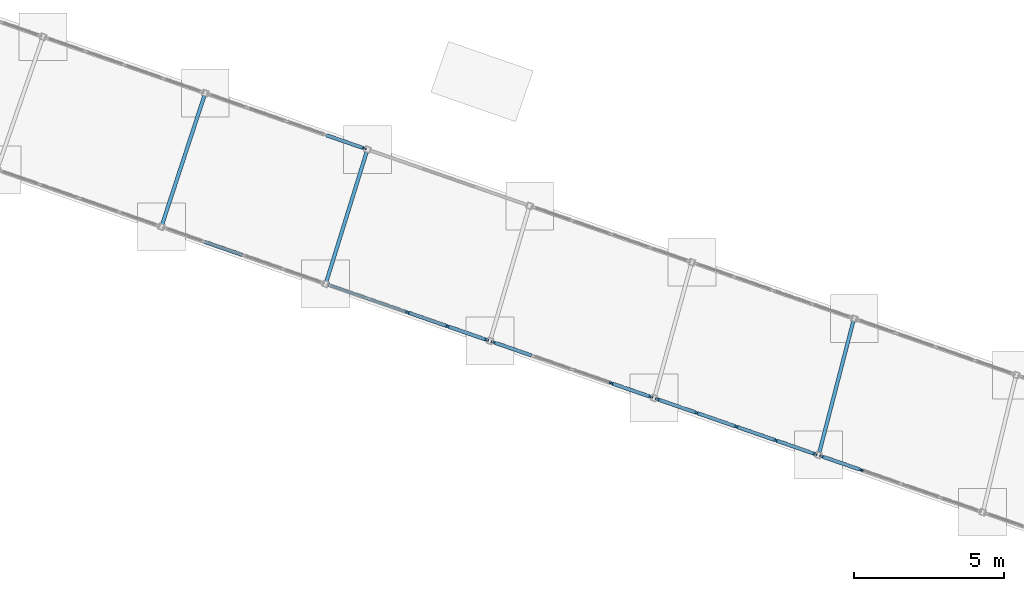
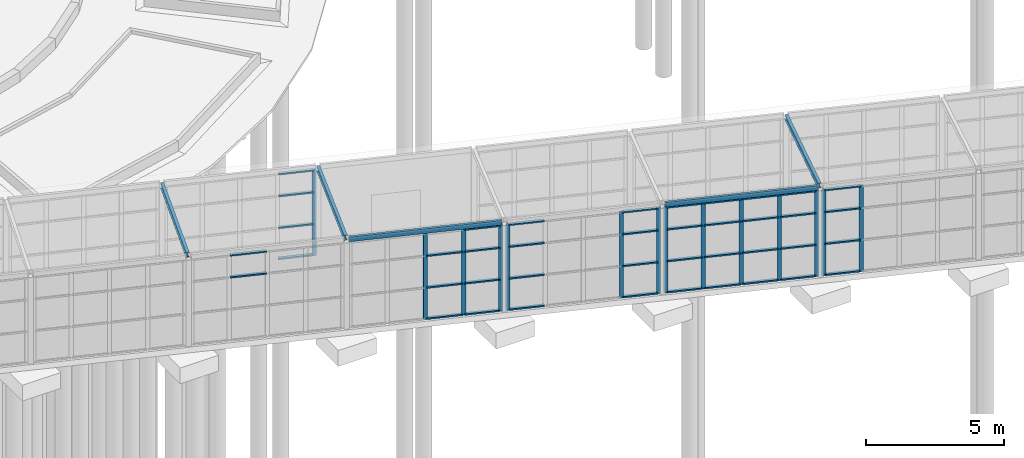
# One storey, part 52 of 226: 55 members, 5 beams, 6 elements without a shape of their own.
"""IFC4 building model written with IfcOpenShell, lengths in metres."""

from ifc_helpers import new_model, si_unit, direction, frame, origin, origin_2d, place, context, subcontext, project, spatial, rectangle, hollow_rectangle, i_section, extrude, material, material_profile, profile_set, type_object, element, aggregate, save


model = new_model("IFC4")

# Units and contexts
model_context = context("Model", 3, precision=1e-05, world=origin(), true_north=direction((0.0, 1.0)))
body_context = subcontext(model_context, "Body", "Model", "MODEL_VIEW")
ifc_project = project(units=[si_unit("LENGTHUNIT", "METRE"), si_unit("AREAUNIT", "SQUARE_METRE"), si_unit("VOLUMEUNIT", "CUBIC_METRE"), si_unit("PLANEANGLEUNIT", "RADIAN"), si_unit("MASSUNIT", "GRAM", prefix="KILO")], contexts=[model_context])

# Site, building, storey
site_placement = place(None, origin())
site = spatial("IfcSite", under=ifc_project, at=site_placement, CompositionType="ELEMENT")
building_placement = place(site_placement, origin())
building = spatial("IfcBuilding", under=site, at=building_placement, Name="Ceibo Conservatory and Research Tower", CompositionType="ELEMENT")
storey_placement = place(building_placement, origin())
storey = spatial("IfcBuildingStorey", under=building, at=storey_placement, Name="L00", CompositionType="ELEMENT", Elevation=0.0)

# Curtain wall, member
ifc_material_1 = material(Name="Aluminium and glass", Category="aluminium")
curtain_wall_type = type_object("IfcCurtainWallType", Name="Gallery curtain wall", PredefinedType="NOTDEFINED", material=ifc_material_1)
curtain_wall_1_placement = place(storey_placement, origin())
curtain_wall_1 = element("IfcCurtainWall", 1, at=curtain_wall_1_placement, inside=storey, type_object=curtain_wall_type, Name="Gallery curtain wall AUD-VC-CWN07", PredefinedType="NOTDEFINED")
ifc_material_2 = material(Name="Aluminium", Category="aluminium")
ifc_material_profile_1 = material_profile(ifc_material_2, rectangle(XDim=0.06005859375, YDim=0.159912109375, at=origin_2d()), Name="AL 60x160")
ifc_profile_set_1 = profile_set([ifc_material_profile_1], Name="Aluminium")
member_type_1 = type_object("IfcMemberType", Name="Gallery mullion 60x160", PredefinedType="MULLION", material=ifc_profile_set_1)
member_1_placement = place(storey_placement, frame((104.44091796875, 56.860107421875, 0.0), z_axis=(0.0, 0.0, 1.0), x_axis=(0.328283515513, 0.944579236191, 0.0)))
member_1 = element("IfcMember", 2, at=member_1_placement, type_object=member_type_1, Name="AUD-VC-CWN07 mullion 5", PredefinedType="MULLION", context=body_context, shape_type="SweptSolid", body=[
    extrude(rectangle(XDim=0.06005859375, YDim=0.159912109375, at=origin_2d()), origin(), (0.0, 0.0, 1.0), 3.800048828125),
])

# Curtain wall, members
curtain_wall_2_placement = place(storey_placement, origin())
curtain_wall_2 = element("IfcCurtainWall", 3, at=curtain_wall_2_placement, inside=storey, type_object=curtain_wall_type, Name="Gallery curtain wall AUD-VC-CWS08", PredefinedType="NOTDEFINED")
member_2_placement = place(storey_placement, frame((105.908203125, 51.37451171875, 0.0), z_axis=(0.0, 0.0, 1.0), x_axis=(0.328283515513, 0.944579236191, 0.0)))
member_2 = element("IfcMember", 4, at=member_2_placement, type_object=member_type_1, Name="AUD-VC-CWS08 mullion 3", PredefinedType="MULLION", context=body_context, shape_type="SweptSolid", body=[
    extrude(rectangle(XDim=0.06005859375, YDim=0.159912109375, at=origin_2d()), origin(), (0.0, 0.0, 1.0), 3.800048828125),
])
member_3_placement = place(storey_placement, frame((107.233154296875, 50.9140625, 0.0), z_axis=(0.0, 0.0, 1.0), x_axis=(0.328283515513, 0.944579236191, 0.0)))
member_3 = element("IfcMember", 5, at=member_3_placement, type_object=member_type_1, Name="AUD-VC-CWS08 mullion 4", PredefinedType="MULLION", context=body_context, shape_type="SweptSolid", body=[
    extrude(rectangle(XDim=0.06005859375, YDim=0.159912109375, at=origin_2d()), origin(), (0.0, 0.0, 1.0), 3.800048828125),
])
member_4_placement = place(storey_placement, frame((108.529541015625, 50.46337890625, 0.0), z_axis=(0.0, 0.0, 1.0), x_axis=(0.328283515513, 0.944579236191, 0.0)))
member_4 = element("IfcMember", 6, at=member_4_placement, type_object=member_type_1, Name="AUD-VC-CWS08 mullion 5", PredefinedType="MULLION", context=body_context, shape_type="SweptSolid", body=[
    extrude(rectangle(XDim=0.06005859375, YDim=0.159912109375, at=origin_2d()), origin(), (0.0, 0.0, 1.0), 3.800048828125),
])

curtain_wall_3_placement = place(storey_placement, origin())
curtain_wall_3 = element("IfcCurtainWall", 7, at=curtain_wall_3_placement, inside=storey, type_object=curtain_wall_type, Name="Gallery curtain wall AUD-VC-CWS09", PredefinedType="NOTDEFINED")
member_5_placement = place(storey_placement, frame((108.775146484375, 50.3779296875, 0.0), z_axis=(0.0, 0.0, 1.0), x_axis=(0.328283515513, 0.944579236191, 0.0)))
member_5 = element("IfcMember", 8, at=member_5_placement, type_object=member_type_1, Name="AUD-VC-CWS09 mullion 1", PredefinedType="MULLION", context=body_context, shape_type="SweptSolid", body=[
    extrude(rectangle(XDim=0.06005859375, YDim=0.159912109375, at=origin_2d()), origin(), (0.0, 0.0, 1.0), 3.800048828125),
])
member_6_placement = place(storey_placement, frame((112.721435546875, 49.006591796875, 0.0), z_axis=(0.0, 0.0, 1.0), x_axis=(0.328283515513, 0.944579236191, 0.0)))
member_6 = element("IfcMember", 9, at=member_6_placement, type_object=member_type_1, Name="AUD-VC-CWS09 mullion 4", PredefinedType="MULLION", context=body_context, shape_type="SweptSolid", body=[
    extrude(rectangle(XDim=0.06005859375, YDim=0.159912109375, at=origin_2d()), origin(), (0.0, 0.0, 1.0), 3.800048828125),
])
member_7_placement = place(storey_placement, frame((114.017822265625, 48.555908203125, 0.0), z_axis=(0.0, 0.0, 1.0), x_axis=(0.328283515513, 0.944579236191, 0.0)))
member_7 = element("IfcMember", 10, at=member_7_placement, type_object=member_type_1, Name="AUD-VC-CWS09 mullion 5", PredefinedType="MULLION", context=body_context, shape_type="SweptSolid", body=[
    extrude(rectangle(XDim=0.06005859375, YDim=0.159912109375, at=origin_2d()), origin(), (0.0, 0.0, 1.0), 3.800048828125),
])

curtain_wall_4_placement = place(storey_placement, origin())
curtain_wall_4 = element("IfcCurtainWall", 11, at=curtain_wall_4_placement, inside=storey, type_object=curtain_wall_type, Name="Gallery curtain wall AUD-VC-CWS10", PredefinedType="NOTDEFINED")
member_8_placement = place(storey_placement, frame((114.263427734375, 48.470703125, 0.0), z_axis=(0.0, 0.0, 1.0), x_axis=(0.328283515513, 0.944579236191, 0.0)))
member_8 = element("IfcMember", 12, at=member_8_placement, type_object=member_type_1, Name="AUD-VC-CWS10 mullion 1", PredefinedType="MULLION", context=body_context, shape_type="SweptSolid", body=[
    extrude(rectangle(XDim=0.06005859375, YDim=0.159912109375, at=origin_2d()), origin(), (0.0, 0.0, 1.0), 3.800048828125),
])
member_9_placement = place(storey_placement, frame((115.56005859375, 48.02001953125, 0.0), z_axis=(0.0, 0.0, 1.0), x_axis=(0.328283515513, 0.944579236191, 0.0)))
member_9 = element("IfcMember", 13, at=member_9_placement, type_object=member_type_1, Name="AUD-VC-CWS10 mullion 2", PredefinedType="MULLION", context=body_context, shape_type="SweptSolid", body=[
    extrude(rectangle(XDim=0.06005859375, YDim=0.159912109375, at=origin_2d()), origin(), (0.0, 0.0, 1.0), 3.800048828125),
])
member_10_placement = place(storey_placement, frame((116.884765625, 47.5595703125, 0.0), z_axis=(0.0, 0.0, 1.0), x_axis=(0.328283515513, 0.944579236191, 0.0)))
member_10 = element("IfcMember", 14, at=member_10_placement, type_object=member_type_1, Name="AUD-VC-CWS10 mullion 3", PredefinedType="MULLION", context=body_context, shape_type="SweptSolid", body=[
    extrude(rectangle(XDim=0.06005859375, YDim=0.159912109375, at=origin_2d()), origin(), (0.0, 0.0, 1.0), 3.800048828125),
])
member_11_placement = place(storey_placement, frame((118.209716796875, 47.09912109375, 0.0), z_axis=(0.0, 0.0, 1.0), x_axis=(0.328283515513, 0.944579236191, 0.0)))
member_11 = element("IfcMember", 15, at=member_11_placement, type_object=member_type_1, Name="AUD-VC-CWS10 mullion 4", PredefinedType="MULLION", context=body_context, shape_type="SweptSolid", body=[
    extrude(rectangle(XDim=0.06005859375, YDim=0.159912109375, at=origin_2d()), origin(), (0.0, 0.0, 1.0), 3.800048828125),
])
member_12_placement = place(storey_placement, frame((119.506103515625, 46.6484375, 0.0), z_axis=(0.0, 0.0, 1.0), x_axis=(0.328283515513, 0.944579236191, 0.0)))
member_12 = element("IfcMember", 16, at=member_12_placement, type_object=member_type_1, Name="AUD-VC-CWS10 mullion 5", PredefinedType="MULLION", context=body_context, shape_type="SweptSolid", body=[
    extrude(rectangle(XDim=0.06005859375, YDim=0.159912109375, at=origin_2d()), origin(), (0.0, 0.0, 1.0), 3.800048828125),
])

curtain_wall_5_placement = place(storey_placement, origin())
curtain_wall_5 = element("IfcCurtainWall", 17, at=curtain_wall_5_placement, inside=storey, type_object=curtain_wall_type, Name="Gallery curtain wall AUD-VC-CWS11", PredefinedType="NOTDEFINED")
member_13_placement = place(storey_placement, frame((119.751708984375, 46.563232421875, 0.0), z_axis=(0.0, 0.0, 1.0), x_axis=(0.328283515513, 0.944579236191, 0.0)))
member_13 = element("IfcMember", 18, at=member_13_placement, type_object=member_type_1, Name="AUD-VC-CWS11 mullion 1", PredefinedType="MULLION", context=body_context, shape_type="SweptSolid", body=[
    extrude(rectangle(XDim=0.06005859375, YDim=0.159912109375, at=origin_2d()), origin(), (0.0, 0.0, 1.0), 3.800048828125),
])
member_14_placement = place(storey_placement, frame((121.04833984375, 46.112548828125, 0.0), z_axis=(0.0, 0.0, 1.0), x_axis=(0.328283515513, 0.944579236191, 0.0)))
member_14 = element("IfcMember", 19, at=member_14_placement, type_object=member_type_1, Name="AUD-VC-CWS11 mullion 2", PredefinedType="MULLION", context=body_context, shape_type="SweptSolid", body=[
    extrude(rectangle(XDim=0.06005859375, YDim=0.159912109375, at=origin_2d()), origin(), (0.0, 0.0, 1.0), 3.800048828125),
])

# Member
ifc_material_profile_2 = material_profile(ifc_material_2, rectangle(XDim=0.1201171875, YDim=0.06005859375, at=origin_2d()), Name="AL 60x120")
ifc_profile_set_2 = profile_set([ifc_material_profile_2], Name="Aluminium")
member_type_2 = type_object("IfcMemberType", Name="Gallery transom 60x120", PredefinedType="USERDEFINED", material=ifc_profile_set_2)
member_15_placement = place(storey_placement, frame((103.189697265625, 57.294921875, 0.030029296875), z_axis=(0.944629016784, -0.328140245399, 0.0), x_axis=(0.328140245399, 0.944629016784, 0.0)))
member_15 = element("IfcMember", 20, at=member_15_placement, type_object=member_type_2, Name="AUD-VC-CWN07 transom 4.1", ObjectType="TRANSOM", PredefinedType="USERDEFINED", context=body_context, shape_type="SweptSolid", body=[
    extrude(rectangle(XDim=0.1201171875, YDim=0.06005859375, at=origin_2d()), origin(), (0.0, 0.0, 1.0), 1.294677734375),
])

member_16_placement = place(storey_placement, frame((103.189697265625, 57.294921875, 1.39990234375), z_axis=(0.944629016784, -0.328140245399, 0.0), x_axis=(0.328140245399, 0.944629016784, 0.0)))
member_16 = element("IfcMember", 21, at=member_16_placement, type_object=member_type_2, Name="AUD-VC-CWN07 transom 4.2", ObjectType="TRANSOM", PredefinedType="USERDEFINED", context=body_context, shape_type="SweptSolid", body=[
    extrude(rectangle(XDim=0.1201171875, YDim=0.06005859375, at=origin_2d()), origin(), (0.0, 0.0, 1.0), 1.294677734375),
])

member_17_placement = place(storey_placement, frame((103.189697265625, 57.294921875, 2.800048828125), z_axis=(0.944629016784, -0.328140245399, 0.0), x_axis=(0.328140245399, 0.944629016784, 0.0)))
member_17 = element("IfcMember", 22, at=member_17_placement, type_object=member_type_2, Name="AUD-VC-CWN07 transom 4.3", ObjectType="TRANSOM", PredefinedType="USERDEFINED", context=body_context, shape_type="SweptSolid", body=[
    extrude(rectangle(XDim=0.1201171875, YDim=0.06005859375, at=origin_2d()), origin(), (0.0, 0.0, 1.0), 1.294677734375),
])

member_18_placement = place(storey_placement, frame((103.189697265625, 57.294921875, 3.77001953125), z_axis=(0.944629016784, -0.328140245399, 0.0), x_axis=(0.328140245399, 0.944629016784, 0.0)))
member_18 = element("IfcMember", 23, at=member_18_placement, type_object=member_type_2, Name="AUD-VC-CWN07 transom 4.4", ObjectType="TRANSOM", PredefinedType="USERDEFINED", context=body_context, shape_type="SweptSolid", body=[
    extrude(rectangle(XDim=0.1201171875, YDim=0.06005859375, at=origin_2d()), origin(), (0.0, 0.0, 1.0), 1.294677734375),
])

aggregate(curtain_wall_1, [member_1, member_15, member_16, member_17, member_18])

# Curtain wall, members
curtain_wall_6_placement = place(storey_placement, origin())
curtain_wall_6 = element("IfcCurtainWall", 24, at=curtain_wall_6_placement, inside=storey, type_object=curtain_wall_type, Name="Gallery curtain wall AUD-VC-CWS07", PredefinedType="NOTDEFINED")
member_19_placement = place(storey_placement, frame((99.123291015625, 53.732421875, 2.800048828125), z_axis=(0.944607129256, -0.328203247027, 0.0), x_axis=(0.328203247027, 0.944607129256, 0.0)))
member_19 = element("IfcMember", 25, at=member_19_placement, type_object=member_type_2, Name="AUD-VC-CWS07 transom 2.3", ObjectType="TRANSOM", PredefinedType="USERDEFINED", context=body_context, shape_type="SweptSolid", body=[
    extrude(rectangle(XDim=0.1201171875, YDim=0.06005859375, at=origin_2d()), origin(), (0.0, 0.0, 1.0), 1.3427734375),
])
member_20_placement = place(storey_placement, frame((99.123291015625, 53.732421875, 3.77001953125), z_axis=(0.944607129256, -0.328203247027, 0.0), x_axis=(0.328203247027, 0.944607129256, 0.0)))
member_20 = element("IfcMember", 26, at=member_20_placement, type_object=member_type_2, Name="AUD-VC-CWS07 transom 2.4", ObjectType="TRANSOM", PredefinedType="USERDEFINED", context=body_context, shape_type="SweptSolid", body=[
    extrude(rectangle(XDim=0.1201171875, YDim=0.06005859375, at=origin_2d()), origin(), (0.0, 0.0, 1.0), 1.3427734375),
])
aggregate(curtain_wall_6, [member_19, member_20])

# Member
member_21_placement = place(storey_placement, frame((105.9365234375, 51.364501953125, 0.030029296875), z_axis=(0.944587537953, -0.328259627648, 0.0), x_axis=(0.328259627648, 0.944587537953, 0.0)))
member_21 = element("IfcMember", 27, at=member_21_placement, type_object=member_type_2, Name="AUD-VC-CWS08 transom 3.1", ObjectType="TRANSOM", PredefinedType="USERDEFINED", context=body_context, shape_type="SweptSolid", body=[
    extrude(rectangle(XDim=0.1201171875, YDim=0.06005859375, at=origin_2d()), origin(), (0.0, 0.0, 1.0), 1.342529296875),
])

member_22_placement = place(storey_placement, frame((105.9365234375, 51.364501953125, 1.39990234375), z_axis=(0.944587537953, -0.328259627648, 0.0), x_axis=(0.328259627648, 0.944587537953, 0.0)))
member_22 = element("IfcMember", 28, at=member_22_placement, type_object=member_type_2, Name="AUD-VC-CWS08 transom 3.2", ObjectType="TRANSOM", PredefinedType="USERDEFINED", context=body_context, shape_type="SweptSolid", body=[
    extrude(rectangle(XDim=0.1201171875, YDim=0.06005859375, at=origin_2d()), origin(), (0.0, 0.0, 1.0), 1.342529296875),
])

member_23_placement = place(storey_placement, frame((105.9365234375, 51.364501953125, 2.800048828125), z_axis=(0.944587537953, -0.328259627648, 0.0), x_axis=(0.328259627648, 0.944587537953, 0.0)))
member_23 = element("IfcMember", 29, at=member_23_placement, type_object=member_type_2, Name="AUD-VC-CWS08 transom 3.3", ObjectType="TRANSOM", PredefinedType="USERDEFINED", context=body_context, shape_type="SweptSolid", body=[
    extrude(rectangle(XDim=0.1201171875, YDim=0.06005859375, at=origin_2d()), origin(), (0.0, 0.0, 1.0), 1.342529296875),
])

member_24_placement = place(storey_placement, frame((107.261474609375, 50.904052734375, 0.030029296875), z_axis=(0.944569547246, -0.328311392455, 0.0), x_axis=(0.328311392455, 0.944569547246, 0.0)))
member_24 = element("IfcMember", 30, at=member_24_placement, type_object=member_type_2, Name="AUD-VC-CWS08 transom 4.1", ObjectType="TRANSOM", PredefinedType="USERDEFINED", context=body_context, shape_type="SweptSolid", body=[
    extrude(rectangle(XDim=0.1201171875, YDim=0.06005859375, at=origin_2d()), origin(), (0.0, 0.0, 1.0), 1.3125),
])

member_25_placement = place(storey_placement, frame((107.261474609375, 50.904052734375, 1.39990234375), z_axis=(0.944569547246, -0.328311392455, 0.0), x_axis=(0.328311392455, 0.944569547246, 0.0)))
member_25 = element("IfcMember", 31, at=member_25_placement, type_object=member_type_2, Name="AUD-VC-CWS08 transom 4.2", ObjectType="TRANSOM", PredefinedType="USERDEFINED", context=body_context, shape_type="SweptSolid", body=[
    extrude(rectangle(XDim=0.1201171875, YDim=0.06005859375, at=origin_2d()), origin(), (0.0, 0.0, 1.0), 1.3125),
])

member_26_placement = place(storey_placement, frame((107.261474609375, 50.904052734375, 2.800048828125), z_axis=(0.944569547246, -0.328311392455, 0.0), x_axis=(0.328311392455, 0.944569547246, 0.0)))
member_26 = element("IfcMember", 32, at=member_26_placement, type_object=member_type_2, Name="AUD-VC-CWS08 transom 4.3", ObjectType="TRANSOM", PredefinedType="USERDEFINED", context=body_context, shape_type="SweptSolid", body=[
    extrude(rectangle(XDim=0.1201171875, YDim=0.06005859375, at=origin_2d()), origin(), (0.0, 0.0, 1.0), 1.3125),
])

member_27_placement = place(storey_placement, frame((107.261474609375, 50.904052734375, 3.77001953125), z_axis=(0.944569547246, -0.328311392455, 0.0), x_axis=(0.328311392455, 0.944569547246, 0.0)))
member_27 = element("IfcMember", 33, at=member_27_placement, type_object=member_type_2, Name="AUD-VC-CWS08 transom 4.4", ObjectType="TRANSOM", PredefinedType="USERDEFINED", context=body_context, shape_type="SweptSolid", body=[
    extrude(rectangle(XDim=0.1201171875, YDim=0.06005859375, at=origin_2d()), origin(), (0.0, 0.0, 1.0), 1.3125),
])

aggregate(curtain_wall_2, [member_2, member_3, member_4, member_21, member_22, member_23, member_24, member_25, member_26, member_27])

member_28_placement = place(storey_placement, frame((108.803466796875, 50.3681640625, 0.030029296875), z_axis=(0.944569547246, -0.328311392455, 0.0), x_axis=(0.328311392455, 0.944569547246, 0.0)))
member_28 = element("IfcMember", 34, at=member_28_placement, type_object=member_type_2, Name="AUD-VC-CWS09 transom 1.1", ObjectType="TRANSOM", PredefinedType="USERDEFINED", context=body_context, shape_type="SweptSolid", body=[
    extrude(rectangle(XDim=0.1201171875, YDim=0.06005859375, at=origin_2d()), origin(), (0.0, 0.0, 1.0), 1.3125),
])

member_29_placement = place(storey_placement, frame((108.803466796875, 50.3681640625, 1.39990234375), z_axis=(0.944569547246, -0.328311392455, 0.0), x_axis=(0.328311392455, 0.944569547246, 0.0)))
member_29 = element("IfcMember", 35, at=member_29_placement, type_object=member_type_2, Name="AUD-VC-CWS09 transom 1.2", ObjectType="TRANSOM", PredefinedType="USERDEFINED", context=body_context, shape_type="SweptSolid", body=[
    extrude(rectangle(XDim=0.1201171875, YDim=0.06005859375, at=origin_2d()), origin(), (0.0, 0.0, 1.0), 1.3125),
])

member_30_placement = place(storey_placement, frame((108.803466796875, 50.3681640625, 2.800048828125), z_axis=(0.944569547246, -0.328311392455, 0.0), x_axis=(0.328311392455, 0.944569547246, 0.0)))
member_30 = element("IfcMember", 36, at=member_30_placement, type_object=member_type_2, Name="AUD-VC-CWS09 transom 1.3", ObjectType="TRANSOM", PredefinedType="USERDEFINED", context=body_context, shape_type="SweptSolid", body=[
    extrude(rectangle(XDim=0.1201171875, YDim=0.06005859375, at=origin_2d()), origin(), (0.0, 0.0, 1.0), 1.3125),
])

member_31_placement = place(storey_placement, frame((108.803466796875, 50.3681640625, 3.77001953125), z_axis=(0.944569547246, -0.328311392455, 0.0), x_axis=(0.328311392455, 0.944569547246, 0.0)))
member_31 = element("IfcMember", 37, at=member_31_placement, type_object=member_type_2, Name="AUD-VC-CWS09 transom 1.4", ObjectType="TRANSOM", PredefinedType="USERDEFINED", context=body_context, shape_type="SweptSolid", body=[
    extrude(rectangle(XDim=0.1201171875, YDim=0.06005859375, at=origin_2d()), origin(), (0.0, 0.0, 1.0), 1.3125),
])

member_32_placement = place(storey_placement, frame((112.749755859375, 48.996826171875, 0.030029296875), z_axis=(0.944569547246, -0.328311392455, 0.0), x_axis=(0.328311392455, 0.944569547246, 0.0)))
member_32 = element("IfcMember", 38, at=member_32_placement, type_object=member_type_2, Name="AUD-VC-CWS09 transom 4.1", ObjectType="TRANSOM", PredefinedType="USERDEFINED", context=body_context, shape_type="SweptSolid", body=[
    extrude(rectangle(XDim=0.1201171875, YDim=0.06005859375, at=origin_2d()), origin(), (0.0, 0.0, 1.0), 1.3125),
])

member_33_placement = place(storey_placement, frame((112.749755859375, 48.996826171875, 1.39990234375), z_axis=(0.944569547246, -0.328311392455, 0.0), x_axis=(0.328311392455, 0.944569547246, 0.0)))
member_33 = element("IfcMember", 39, at=member_33_placement, type_object=member_type_2, Name="AUD-VC-CWS09 transom 4.2", ObjectType="TRANSOM", PredefinedType="USERDEFINED", context=body_context, shape_type="SweptSolid", body=[
    extrude(rectangle(XDim=0.1201171875, YDim=0.06005859375, at=origin_2d()), origin(), (0.0, 0.0, 1.0), 1.3125),
])

member_34_placement = place(storey_placement, frame((112.749755859375, 48.996826171875, 2.800048828125), z_axis=(0.944569547246, -0.328311392455, 0.0), x_axis=(0.328311392455, 0.944569547246, 0.0)))
member_34 = element("IfcMember", 40, at=member_34_placement, type_object=member_type_2, Name="AUD-VC-CWS09 transom 4.3", ObjectType="TRANSOM", PredefinedType="USERDEFINED", context=body_context, shape_type="SweptSolid", body=[
    extrude(rectangle(XDim=0.1201171875, YDim=0.06005859375, at=origin_2d()), origin(), (0.0, 0.0, 1.0), 1.3125),
])

member_35_placement = place(storey_placement, frame((112.749755859375, 48.996826171875, 3.77001953125), z_axis=(0.944569547246, -0.328311392455, 0.0), x_axis=(0.328311392455, 0.944569547246, 0.0)))
member_35 = element("IfcMember", 41, at=member_35_placement, type_object=member_type_2, Name="AUD-VC-CWS09 transom 4.4", ObjectType="TRANSOM", PredefinedType="USERDEFINED", context=body_context, shape_type="SweptSolid", body=[
    extrude(rectangle(XDim=0.1201171875, YDim=0.06005859375, at=origin_2d()), origin(), (0.0, 0.0, 1.0), 1.3125),
])

aggregate(curtain_wall_3, [member_5, member_6, member_7, member_28, member_29, member_30, member_31, member_32, member_33, member_34, member_35])

member_36_placement = place(storey_placement, frame((114.291748046875, 48.460693359375, 0.030029296875), z_axis=(0.944569547246, -0.328311392455, 0.0), x_axis=(0.328311392455, 0.944569547246, 0.0)))
member_36 = element("IfcMember", 42, at=member_36_placement, type_object=member_type_2, Name="AUD-VC-CWS10 transom 1.1", ObjectType="TRANSOM", PredefinedType="USERDEFINED", context=body_context, shape_type="SweptSolid", body=[
    extrude(rectangle(XDim=0.1201171875, YDim=0.06005859375, at=origin_2d()), origin(), (0.0, 0.0, 1.0), 1.3125),
])

member_37_placement = place(storey_placement, frame((114.291748046875, 48.460693359375, 1.39990234375), z_axis=(0.944569547246, -0.328311392455, 0.0), x_axis=(0.328311392455, 0.944569547246, 0.0)))
member_37 = element("IfcMember", 43, at=member_37_placement, type_object=member_type_2, Name="AUD-VC-CWS10 transom 1.2", ObjectType="TRANSOM", PredefinedType="USERDEFINED", context=body_context, shape_type="SweptSolid", body=[
    extrude(rectangle(XDim=0.1201171875, YDim=0.06005859375, at=origin_2d()), origin(), (0.0, 0.0, 1.0), 1.3125),
])

member_38_placement = place(storey_placement, frame((114.291748046875, 48.460693359375, 2.800048828125), z_axis=(0.944569547246, -0.328311392455, 0.0), x_axis=(0.328311392455, 0.944569547246, 0.0)))
member_38 = element("IfcMember", 44, at=member_38_placement, type_object=member_type_2, Name="AUD-VC-CWS10 transom 1.3", ObjectType="TRANSOM", PredefinedType="USERDEFINED", context=body_context, shape_type="SweptSolid", body=[
    extrude(rectangle(XDim=0.1201171875, YDim=0.06005859375, at=origin_2d()), origin(), (0.0, 0.0, 1.0), 1.3125),
])

member_39_placement = place(storey_placement, frame((114.291748046875, 48.460693359375, 3.77001953125), z_axis=(0.944569547246, -0.328311392455, 0.0), x_axis=(0.328311392455, 0.944569547246, 0.0)))
member_39 = element("IfcMember", 45, at=member_39_placement, type_object=member_type_2, Name="AUD-VC-CWS10 transom 1.4", ObjectType="TRANSOM", PredefinedType="USERDEFINED", context=body_context, shape_type="SweptSolid", body=[
    extrude(rectangle(XDim=0.1201171875, YDim=0.06005859375, at=origin_2d()), origin(), (0.0, 0.0, 1.0), 1.3125),
])

member_40_placement = place(storey_placement, frame((115.58837890625, 48.01025390625, 0.030029296875), z_axis=(0.944531137663, -0.328421878055, 0.0), x_axis=(0.328421878055, 0.944531137663, 0.0)))
member_40 = element("IfcMember", 46, at=member_40_placement, type_object=member_type_2, Name="AUD-VC-CWS10 transom 2.1", ObjectType="TRANSOM", PredefinedType="USERDEFINED", context=body_context, shape_type="SweptSolid", body=[
    extrude(rectangle(XDim=0.1201171875, YDim=0.06005859375, at=origin_2d()), origin(), (0.0, 0.0, 1.0), 1.342529296875),
])

member_41_placement = place(storey_placement, frame((115.58837890625, 48.01025390625, 1.39990234375), z_axis=(0.944531137663, -0.328421878055, 0.0), x_axis=(0.328421878055, 0.944531137663, 0.0)))
member_41 = element("IfcMember", 47, at=member_41_placement, type_object=member_type_2, Name="AUD-VC-CWS10 transom 2.2", ObjectType="TRANSOM", PredefinedType="USERDEFINED", context=body_context, shape_type="SweptSolid", body=[
    extrude(rectangle(XDim=0.1201171875, YDim=0.06005859375, at=origin_2d()), origin(), (0.0, 0.0, 1.0), 1.342529296875),
])

member_42_placement = place(storey_placement, frame((115.58837890625, 48.01025390625, 2.800048828125), z_axis=(0.944531137663, -0.328421878055, 0.0), x_axis=(0.328421878055, 0.944531137663, 0.0)))
member_42 = element("IfcMember", 48, at=member_42_placement, type_object=member_type_2, Name="AUD-VC-CWS10 transom 2.3", ObjectType="TRANSOM", PredefinedType="USERDEFINED", context=body_context, shape_type="SweptSolid", body=[
    extrude(rectangle(XDim=0.1201171875, YDim=0.06005859375, at=origin_2d()), origin(), (0.0, 0.0, 1.0), 1.342529296875),
])

member_43_placement = place(storey_placement, frame((115.58837890625, 48.01025390625, 3.77001953125), z_axis=(0.944531137663, -0.328421878055, 0.0), x_axis=(0.328421878055, 0.944531137663, 0.0)))
member_43 = element("IfcMember", 49, at=member_43_placement, type_object=member_type_2, Name="AUD-VC-CWS10 transom 2.4", ObjectType="TRANSOM", PredefinedType="USERDEFINED", context=body_context, shape_type="SweptSolid", body=[
    extrude(rectangle(XDim=0.1201171875, YDim=0.06005859375, at=origin_2d()), origin(), (0.0, 0.0, 1.0), 1.342529296875),
])

member_44_placement = place(storey_placement, frame((116.9130859375, 47.5498046875, 0.030029296875), z_axis=(0.944550747167, -0.328365476301, 0.0), x_axis=(0.328365476301, 0.944550747167, 0.0)))
member_44 = element("IfcMember", 50, at=member_44_placement, type_object=member_type_2, Name="AUD-VC-CWS10 transom 3.1", ObjectType="TRANSOM", PredefinedType="USERDEFINED", context=body_context, shape_type="SweptSolid", body=[
    extrude(rectangle(XDim=0.1201171875, YDim=0.06005859375, at=origin_2d()), origin(), (0.0, 0.0, 1.0), 1.3427734375),
])

member_45_placement = place(storey_placement, frame((116.9130859375, 47.5498046875, 1.39990234375), z_axis=(0.944550747167, -0.328365476301, 0.0), x_axis=(0.328365476301, 0.944550747167, 0.0)))
member_45 = element("IfcMember", 51, at=member_45_placement, type_object=member_type_2, Name="AUD-VC-CWS10 transom 3.2", ObjectType="TRANSOM", PredefinedType="USERDEFINED", context=body_context, shape_type="SweptSolid", body=[
    extrude(rectangle(XDim=0.1201171875, YDim=0.06005859375, at=origin_2d()), origin(), (0.0, 0.0, 1.0), 1.3427734375),
])

member_46_placement = place(storey_placement, frame((116.9130859375, 47.5498046875, 2.800048828125), z_axis=(0.944550747167, -0.328365476301, 0.0), x_axis=(0.328365476301, 0.944550747167, 0.0)))
member_46 = element("IfcMember", 52, at=member_46_placement, type_object=member_type_2, Name="AUD-VC-CWS10 transom 3.3", ObjectType="TRANSOM", PredefinedType="USERDEFINED", context=body_context, shape_type="SweptSolid", body=[
    extrude(rectangle(XDim=0.1201171875, YDim=0.06005859375, at=origin_2d()), origin(), (0.0, 0.0, 1.0), 1.3427734375),
])

member_47_placement = place(storey_placement, frame((116.9130859375, 47.5498046875, 3.77001953125), z_axis=(0.944550747167, -0.328365476301, 0.0), x_axis=(0.328365476301, 0.944550747167, 0.0)))
member_47 = element("IfcMember", 53, at=member_47_placement, type_object=member_type_2, Name="AUD-VC-CWS10 transom 3.4", ObjectType="TRANSOM", PredefinedType="USERDEFINED", context=body_context, shape_type="SweptSolid", body=[
    extrude(rectangle(XDim=0.1201171875, YDim=0.06005859375, at=origin_2d()), origin(), (0.0, 0.0, 1.0), 1.3427734375),
])

member_48_placement = place(storey_placement, frame((118.238037109375, 47.08935546875, 0.030029296875), z_axis=(0.944569547246, -0.328311392455, 0.0), x_axis=(0.328311392455, 0.944569547246, 0.0)))
member_48 = element("IfcMember", 54, at=member_48_placement, type_object=member_type_2, Name="AUD-VC-CWS10 transom 4.1", ObjectType="TRANSOM", PredefinedType="USERDEFINED", context=body_context, shape_type="SweptSolid", body=[
    extrude(rectangle(XDim=0.1201171875, YDim=0.06005859375, at=origin_2d()), origin(), (0.0, 0.0, 1.0), 1.3125),
])

member_49_placement = place(storey_placement, frame((118.238037109375, 47.08935546875, 1.39990234375), z_axis=(0.944569547246, -0.328311392455, 0.0), x_axis=(0.328311392455, 0.944569547246, 0.0)))
member_49 = element("IfcMember", 55, at=member_49_placement, type_object=member_type_2, Name="AUD-VC-CWS10 transom 4.2", ObjectType="TRANSOM", PredefinedType="USERDEFINED", context=body_context, shape_type="SweptSolid", body=[
    extrude(rectangle(XDim=0.1201171875, YDim=0.06005859375, at=origin_2d()), origin(), (0.0, 0.0, 1.0), 1.3125),
])

member_50_placement = place(storey_placement, frame((118.238037109375, 47.08935546875, 2.800048828125), z_axis=(0.944569547246, -0.328311392455, 0.0), x_axis=(0.328311392455, 0.944569547246, 0.0)))
member_50 = element("IfcMember", 56, at=member_50_placement, type_object=member_type_2, Name="AUD-VC-CWS10 transom 4.3", ObjectType="TRANSOM", PredefinedType="USERDEFINED", context=body_context, shape_type="SweptSolid", body=[
    extrude(rectangle(XDim=0.1201171875, YDim=0.06005859375, at=origin_2d()), origin(), (0.0, 0.0, 1.0), 1.3125),
])

member_51_placement = place(storey_placement, frame((118.238037109375, 47.08935546875, 3.77001953125), z_axis=(0.944569547246, -0.328311392455, 0.0), x_axis=(0.328311392455, 0.944569547246, 0.0)))
member_51 = element("IfcMember", 57, at=member_51_placement, type_object=member_type_2, Name="AUD-VC-CWS10 transom 4.4", ObjectType="TRANSOM", PredefinedType="USERDEFINED", context=body_context, shape_type="SweptSolid", body=[
    extrude(rectangle(XDim=0.1201171875, YDim=0.06005859375, at=origin_2d()), origin(), (0.0, 0.0, 1.0), 1.3125),
])

aggregate(curtain_wall_4, [member_8, member_9, member_10, member_11, member_12, member_36, member_37, member_38, member_39, member_40, member_41, member_42, member_43, member_44, member_45, member_46, member_47, member_48, member_49, member_50, member_51])

member_52_placement = place(storey_placement, frame((119.780029296875, 46.55322265625, 0.030029296875), z_axis=(0.944627220952, -0.328145415077, 0.0), x_axis=(0.328145415077, 0.944627220952, 0.0)))
member_52 = element("IfcMember", 58, at=member_52_placement, type_object=member_type_2, Name="AUD-VC-CWS11 transom 1.1", ObjectType="TRANSOM", PredefinedType="USERDEFINED", context=body_context, shape_type="SweptSolid", body=[
    extrude(rectangle(XDim=0.1201171875, YDim=0.06005859375, at=origin_2d()), origin(), (0.0, 0.0, 1.0), 1.3125),
])

member_53_placement = place(storey_placement, frame((119.780029296875, 46.55322265625, 1.39990234375), z_axis=(0.944627220952, -0.328145415077, 0.0), x_axis=(0.328145415077, 0.944627220952, 0.0)))
member_53 = element("IfcMember", 59, at=member_53_placement, type_object=member_type_2, Name="AUD-VC-CWS11 transom 1.2", ObjectType="TRANSOM", PredefinedType="USERDEFINED", context=body_context, shape_type="SweptSolid", body=[
    extrude(rectangle(XDim=0.1201171875, YDim=0.06005859375, at=origin_2d()), origin(), (0.0, 0.0, 1.0), 1.3125),
])

member_54_placement = place(storey_placement, frame((119.780029296875, 46.55322265625, 2.800048828125), z_axis=(0.944627220952, -0.328145415077, 0.0), x_axis=(0.328145415077, 0.944627220952, 0.0)))
member_54 = element("IfcMember", 60, at=member_54_placement, type_object=member_type_2, Name="AUD-VC-CWS11 transom 1.3", ObjectType="TRANSOM", PredefinedType="USERDEFINED", context=body_context, shape_type="SweptSolid", body=[
    extrude(rectangle(XDim=0.1201171875, YDim=0.06005859375, at=origin_2d()), origin(), (0.0, 0.0, 1.0), 1.3125),
])

member_55_placement = place(storey_placement, frame((119.780029296875, 46.55322265625, 3.77001953125), z_axis=(0.944627220952, -0.328145415077, 0.0), x_axis=(0.328145415077, 0.944627220952, 0.0)))
member_55 = element("IfcMember", 61, at=member_55_placement, type_object=member_type_2, Name="AUD-VC-CWS11 transom 1.4", ObjectType="TRANSOM", PredefinedType="USERDEFINED", context=body_context, shape_type="SweptSolid", body=[
    extrude(rectangle(XDim=0.1201171875, YDim=0.06005859375, at=origin_2d()), origin(), (0.0, 0.0, 1.0), 1.3125),
])

aggregate(curtain_wall_5, [member_13, member_14, member_52, member_53, member_54, member_55])

# Beams
ifc_material_3 = material(Name="Steel S355J2", Category="steel")
ifc_material_profile_3 = material_profile(ifc_material_3, i_section(OverallWidth=0.1201171875, OverallDepth=0.239990234375, WebThickness=0.006103515625, FlangeThickness=0.009765625, at=origin_2d()), Name="IPE 240")
ifc_profile_set_3 = profile_set([ifc_material_profile_3], Name="Steel S355J2")
beam_type_1 = type_object("IfcBeamType", Name="IPE 240 roof beam", PredefinedType="BEAM", material=ifc_profile_set_3)
beam_1_placement = place(storey_placement, frame((99.11181640625, 58.611572265625, 3.8798828125), z_axis=(-0.311433696453, -0.950267884711, 0.0), x_axis=(0.950267884711, -0.311433696453, 0.0)))
element("IfcBeam", 62, at=beam_1_placement, inside=storey, type_object=beam_type_1, Name="Gallery roof beam AUD-VC-RB06", PredefinedType="BEAM", context=body_context, shape_type="SweptSolid", body=[
    extrude(i_section(OverallWidth=0.1201171875, OverallDepth=0.239990234375, WebThickness=0.006103515625, FlangeThickness=0.009765625, at=origin_2d()), origin(), (0.0, 0.0, 1.0), 4.5107421875),
])
beam_2_placement = place(storey_placement, frame((104.532470703125, 56.727783203125, 3.8798828125), z_axis=(-0.296324337669, -0.955087371346, 0.0), x_axis=(0.955087371346, -0.296324337669, 0.0)))
element("IfcBeam", 63, at=beam_2_placement, inside=storey, type_object=beam_type_1, Name="Gallery roof beam AUD-VC-RB07", PredefinedType="BEAM", context=body_context, shape_type="SweptSolid", body=[
    extrude(i_section(OverallWidth=0.1201171875, OverallDepth=0.239990234375, WebThickness=0.006103515625, FlangeThickness=0.009765625, at=origin_2d()), origin(), (0.0, 0.0, 1.0), 4.512451171875),
])
beam_3_placement = place(storey_placement, frame((120.794189453125, 51.075927734375, 3.8798828125), z_axis=(-0.250626962832, -0.968083738889, 0.0), x_axis=(0.968083738889, -0.250626962832, 0.0)))
element("IfcBeam", 64, at=beam_3_placement, inside=storey, type_object=beam_type_1, Name="Gallery roof beam AUD-VC-RB10", PredefinedType="BEAM", context=body_context, shape_type="SweptSolid", body=[
    extrude(i_section(OverallWidth=0.1201171875, OverallDepth=0.239990234375, WebThickness=0.006103515625, FlangeThickness=0.009765625, at=origin_2d()), origin(), (0.0, 0.0, 1.0), 4.52490234375),
])
ifc_material_4 = material(Name="Steel S355J2H", Category="steel")
ifc_material_profile_4 = material_profile(ifc_material_4, hollow_rectangle(XDim=0.10009765625, YDim=0.199951171875, WallThickness=0.008056640625, at=origin_2d()), Name="RHS 200x100x8 edge beam")
ifc_profile_set_4 = profile_set([ifc_material_profile_4], Name="Steel S355J2H")
beam_type_2 = type_object("IfcBeamType", Name="RHS 200x100x8 edge beam", PredefinedType="BEAM", material=ifc_profile_set_4)
for number, where, z_axis, x_axis, name in (
    (65, (103.253662109375, 52.296875, 3.89990234375), (0.944584081142, -0.328269574669, 0.0), (0.328269574669, 0.944584081142, 0.0), "Gallery edge beam AUD-VC-EBS08"),
    (66, (114.23046875, 48.482177734375, 3.89990234375), (0.944570611008, -0.328308331938, 0.0), (0.328308331938, 0.944570611008, 0.0), "Gallery edge beam AUD-VC-EBS10"),
):
    element("IfcBeam", number, at=place(storey_placement, frame(where, z_axis=z_axis, x_axis=x_axis)), inside=storey, type_object=beam_type_2, Name=name, PredefinedType="BEAM", context=body_context, shape_type="SweptSolid", body=[
        extrude(hollow_rectangle(XDim=0.10009765625, YDim=0.199951171875, WallThickness=0.008056640625, at=origin_2d()), origin(), (0.0, 0.0, 1.0), 5.620361328125),
    ])

save(model, "model.ifc")
